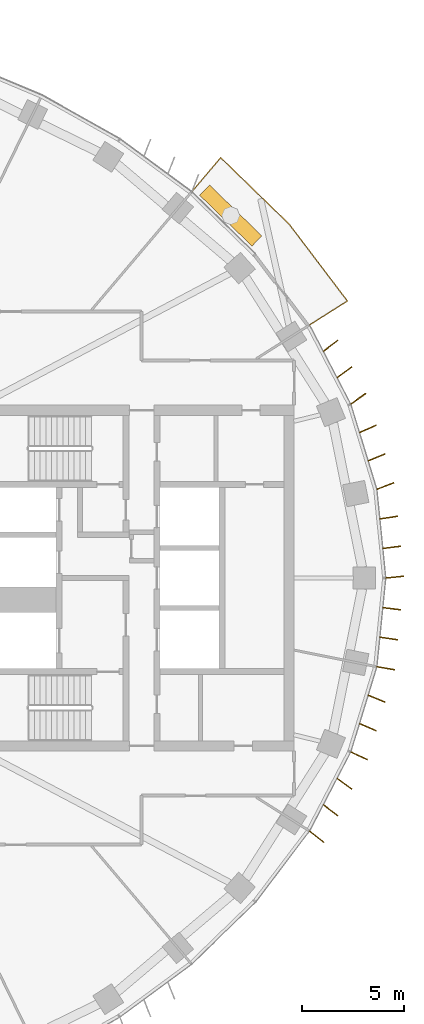
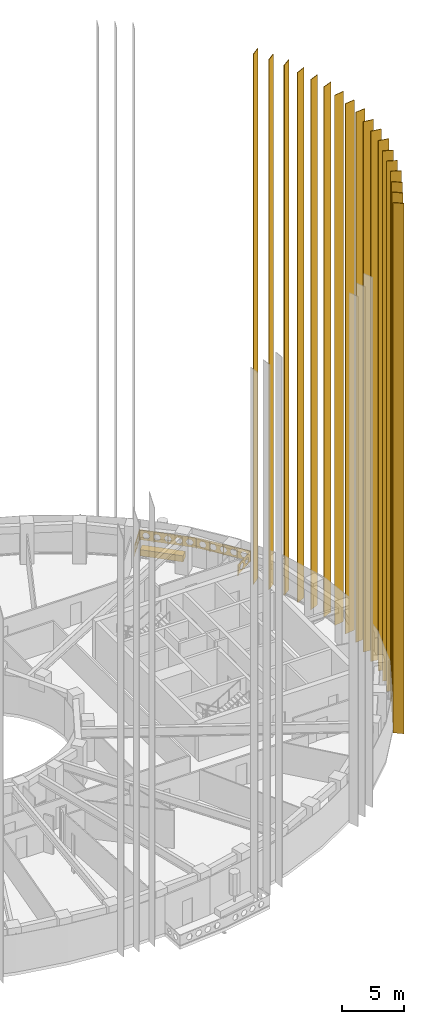
# One storey, part 18 of 19: 19 coverings, 1 railing.
"""IFC4 building model written with IfcOpenShell, lengths in metres."""

from ifc_helpers import new_model, si_unit, direction, frame, origin, origin_2d, place, context, subcontext, project, spatial, polyline, rectangle, outline, extrude, material, material_profile, profile_set, type_object, element, save


model = new_model("IFC4")

# Units and contexts
model_context = context("Model", 3, precision=1e-05, world=origin(), true_north=direction((0.0, 1.0)))
body_context = subcontext(model_context, "Body", "Model", "MODEL_VIEW")
ifc_project = project(units=[si_unit("LENGTHUNIT", "METRE"), si_unit("AREAUNIT", "SQUARE_METRE"), si_unit("VOLUMEUNIT", "CUBIC_METRE"), si_unit("PLANEANGLEUNIT", "RADIAN"), si_unit("MASSUNIT", "GRAM", prefix="KILO")], contexts=[model_context])

# Site, building, storey
site_placement = place(None, origin())
site = spatial("IfcSite", under=ifc_project, at=site_placement, CompositionType="ELEMENT")
building_placement = place(site_placement, origin())
building = spatial("IfcBuilding", under=site, at=building_placement, Name="Noorbagh Ring Tower", CompositionType="ELEMENT")
storey_placement = place(building_placement, frame((0.0, 0.0, 233.5)))
storey = spatial("IfcBuildingStorey", under=building, at=storey_placement, Name="L48", CompositionType="ELEMENT", Elevation=233.5)

# Coverings
ifc_material_1 = material(Name="Aluminium 6063-T6 black anodised", Category="aluminium")
ifc_material_profile = material_profile(ifc_material_1, rectangle(XDim=0.89990234375, YDim=0.050048828125, at=origin_2d()), Name="900x50")
ifc_profile_set = profile_set([ifc_material_profile], Name="Aluminium 6063-T6 black anodised")
covering_type_1 = type_object("IfcCoveringType", Name="ENV-FIN", PredefinedType="CLADDING", material=ifc_profile_set)
for number, where, z_axis, x_axis, name in (
    (1, (36.4482421875, 0.045166015625, -0.284912109375), (0.0, 0.0, 1.0), (0.994969504864, 0.100178263068, 0.0), "Fin F01 1 L48-L60"),
    (2, (36.30126953125, 1.5087890625, -0.284912109375), (0.0, 0.0, 1.0), (0.992302876732, 0.12383457041, 0.0), "Fin F01 2 L48-L60"),
    (3, (36.154296875, 2.97216796875, -0.284912109375), (0.0, 0.0, 1.0), (0.989102941421, 0.147225579543, 0.0), "Fin F01 3 L48-L60"),
    (4, (35.9833984375, 4.520751953125, -0.284912109375), (0.0, 0.0, 1.0), (0.933362145395, 0.358936074453, 0.0), "Fin F02 1 L48-L60"),
    (5, (35.553466796875, 5.92724609375, -0.284912109375), (0.0, 0.0, 1.0), (0.925000661941, 0.379965492392, 0.0), "Fin F02 2 L48-L60"),
    (6, (35.123291015625, 7.3330078125, -0.284912109375), (0.0, 0.0, 1.0), (0.916474909008, 0.40009216583, 0.0), "Fin F02 3 L48-L60"),
    (7, (34.651611328125, 8.810791015625, -0.284912109375), (0.0, 0.0, 1.0), (0.815855460993, 0.57825588347, 0.0), "Fin F03 1 L48-L60"),
    (8, (33.9716796875, 10.113525390625, -0.284912109375), (0.0, 0.0, 1.0), (0.804260303023, 0.59427717858, 0.0), "Fin F03 2 L48-L60"),
    (9, (33.291748046875, 11.415771484375, -0.284912109375), (0.0, 0.0, 1.0), (0.793137535147, 0.609042568579, 0.0), "Fin F03 3 L48-L60"),
    (10, (32.612060546875, -12.71728515625, -0.284912109375), (0.0, 0.0, 1.0), (0.782643528987, -0.622470165176, 0.0), "Fin F44 1 L48-L60"),
    (11, (33.291748046875, -11.415771484375, -0.284912109375), (0.0, 0.0, 1.0), (0.793137535147, -0.609042568579, 0.0), "Fin F44 2 L48-L60"),
    (12, (33.9716796875, -10.113525390625, -0.284912109375), (0.0, 0.0, 1.0), (0.804260303023, -0.59427717858, 0.0), "Fin F44 3 L48-L60"),
    (13, (34.693359375, -8.738525390625, -0.284912109375), (0.0, 0.0, 1.0), (0.907911558545, -0.419161784827, 0.0), "Fin F45 1 L48-L60"),
    (14, (35.123291015625, -7.3330078125, -0.284912109375), (0.0, 0.0, 1.0), (0.916474909008, -0.40009216583, 0.0), "Fin F45 2 L48-L60"),
    (15, (35.553466796875, -5.92724609375, -0.284912109375), (0.0, 0.0, 1.0), (0.925000661941, -0.379965492392, 0.0), "Fin F45 3 L48-L60"),
    (16, (36.0068359375, -4.435546875, -0.284912109375), (0.0, 0.0, 1.0), (0.985418628789, -0.170147365642, 0.0), "Fin F46 1 L48-L60"),
    (17, (36.154296875, -2.97216796875, -0.284912109375), (0.0, 0.0, 1.0), (0.989102941421, -0.147225579543, 0.0), "Fin F46 2 L48-L60"),
    (18, (36.30126953125, -1.5087890625, -0.284912109375), (0.0, 0.0, 1.0), (0.992302876732, -0.12383457041, 0.0), "Fin F46 3 L48-L60"),
):
    element("IfcCovering", number, at=place(storey_placement, frame(where, z_axis=z_axis, x_axis=x_axis)), inside=storey, type_object=covering_type_1, Name=name, ObjectType="FIN", PredefinedType="CLADDING", context=body_context, shape_type="SweptSolid", body=[
        extrude(rectangle(XDim=0.89990234375, YDim=0.050048828125, at=origin_2d()), origin(), (0.0, 0.0, 1.0), 51.969970703125),
    ])

# Railing
ifc_material_2 = material(Name="Steel S275 black powder-coated", Category="steel")
railing_type = type_object("IfcRailingType", Name="ENV-GUARD", PredefinedType="GUARDRAIL", material=ifc_material_2)
railing_placement = place(storey_placement, frame((32.255126953125, 12.434814453125, 0.0)))
element("IfcRailing", 19, at=railing_placement, inside=storey, type_object=railing_type, Name="Balcony guard BN01", PredefinedType="GUARDRAIL", context=body_context, shape_type="SweptSolid", body=[
    extrude(rectangle(XDim=0.048095703125, YDim=0.048095703125, at=origin_2d()), frame((0.0, 0.0, 1.076171875), z_axis=(0.844852397829, 0.534999463442, 0.0), x_axis=(-0.534999463442, 0.844852397829, 0.0)), (0.0, 0.0, 1.0), 2.207763671875),
    extrude(rectangle(XDim=0.048095703125, YDim=0.048095703125, at=origin_2d()), frame((1.865234375, 1.18115234375, 1.076171875), z_axis=(-0.604001613322, 0.796983093362, 0.0), x_axis=(-0.796983093362, -0.604001613322, 0.0)), (0.0, 0.0, 1.0), 4.7353515625),
    extrude(rectangle(XDim=0.048095703125, YDim=0.048095703125, at=origin_2d()), frame((-0.994873046875, 4.955078125, 1.076171875), z_axis=(-0.717212632946, 0.696854388766, 0.0), x_axis=(-0.696854388766, -0.717212632946, 0.0)), (0.0, 0.0, 1.0), 4.700927734375),
    extrude(rectangle(XDim=0.048095703125, YDim=0.048095703125, at=origin_2d()), frame((-4.366455078125, 8.23095703125, 1.076171875), z_axis=(-0.646413574048, -0.762987215677, 0.0), x_axis=(0.762987215677, -0.646413574048, 0.0)), (0.0, 0.0, 1.0), 2.205322265625),
    extrude(rectangle(XDim=0.0419921875, YDim=0.0419921875, at=origin_2d()), origin(), (0.0, 0.0, 1.0), 1.052001953125),
    extrude(rectangle(XDim=0.0419921875, YDim=0.0419921875, at=origin_2d()), frame((0.9326171875, 0.590576171875, 0.0)), (0.0, 0.0, 1.0), 1.052001953125),
    extrude(rectangle(XDim=0.0419921875, YDim=0.0419921875, at=origin_2d()), frame((1.865234375, 1.18115234375, 0.0)), (0.0, 0.0, 1.0), 1.052001953125),
    extrude(rectangle(XDim=0.0419921875, YDim=0.0419921875, at=origin_2d()), frame((1.150146484375, 2.12451171875, 0.0)), (0.0, 0.0, 1.0), 1.052001953125),
    extrude(rectangle(XDim=0.0419921875, YDim=0.0419921875, at=origin_2d()), frame((0.43505859375, 3.068115234375, 0.0)), (0.0, 0.0, 1.0), 1.052001953125),
    extrude(rectangle(XDim=0.0419921875, YDim=0.0419921875, at=origin_2d()), frame((-0.27978515625, 4.01171875, 0.0)), (0.0, 0.0, 1.0), 1.052001953125),
    extrude(rectangle(XDim=0.0419921875, YDim=0.0419921875, at=origin_2d()), frame((-0.994873046875, 4.955078125, 0.0)), (0.0, 0.0, 1.0), 1.052001953125),
    extrude(rectangle(XDim=0.0419921875, YDim=0.0419921875, at=origin_2d()), frame((-1.837890625, 5.77392578125, 0.0)), (0.0, 0.0, 1.0), 1.052001953125),
    extrude(rectangle(XDim=0.0419921875, YDim=0.0419921875, at=origin_2d()), frame((-2.6806640625, 6.593017578125, 0.0)), (0.0, 0.0, 1.0), 1.052001953125),
    extrude(rectangle(XDim=0.0419921875, YDim=0.0419921875, at=origin_2d()), frame((-3.5234375, 7.412109375, 0.0)), (0.0, 0.0, 1.0), 1.052001953125),
    extrude(rectangle(XDim=0.0419921875, YDim=0.0419921875, at=origin_2d()), frame((-4.366455078125, 8.23095703125, 0.0)), (0.0, 0.0, 1.0), 1.052001953125),
    extrude(rectangle(XDim=0.0419921875, YDim=0.0419921875, at=origin_2d()), frame((-5.0791015625, 7.3896484375, 0.0)), (0.0, 0.0, 1.0), 1.052001953125),
    extrude(rectangle(XDim=0.0419921875, YDim=0.0419921875, at=origin_2d()), frame((-5.7919921875, 6.54833984375, 0.0)), (0.0, 0.0, 1.0), 1.052001953125),
    extrude(outline(polyline([(0.0, 0.10009765625), (2.207763671875, 0.10009765625), (2.207763671875, 1.031982421875), (0.0, 1.031982421875), (0.0, 0.10009765625)]), holes=[polyline([(0.9638671875, 0.56591796875), (0.808837890625, 0.83447265625), (0.498779296875, 0.83447265625), (0.343994140625, 0.56591796875), (0.498779296875, 0.297607421875), (0.808837890625, 0.297607421875), (0.9638671875, 0.56591796875)]), polyline([(1.86376953125, 0.56591796875), (1.708984375, 0.83447265625), (1.39892578125, 0.83447265625), (1.243896484375, 0.56591796875), (1.39892578125, 0.297607421875), (1.708984375, 0.297607421875), (1.86376953125, 0.56591796875)])]), frame((-0.00537109375, 0.008544921875, 0.0), z_axis=(0.534999463442, -0.844852397829, 0.0), x_axis=(0.844852397829, 0.534999463442, 0.0)), (0.0, 0.0, 1.0), 0.02001953125),
    extrude(outline(polyline([(0.0, 0.10009765625), (4.7353515625, 0.10009765625), (4.7353515625, 1.031982421875), (0.0, 1.031982421875), (0.0, 0.10009765625)]), holes=[polyline([(0.877685546875, 0.56591796875), (0.72265625, 0.83447265625), (0.41259765625, 0.83447265625), (0.257568359375, 0.56591796875), (0.41259765625, 0.297607421875), (0.72265625, 0.297607421875), (0.877685546875, 0.56591796875)]), polyline([(1.777587890625, 0.56591796875), (1.62255859375, 0.83447265625), (1.312744140625, 0.83447265625), (1.15771484375, 0.56591796875), (1.312744140625, 0.297607421875), (1.62255859375, 0.297607421875), (1.777587890625, 0.56591796875)]), polyline([(2.677734375, 0.56591796875), (2.522705078125, 0.83447265625), (2.212646484375, 0.83447265625), (2.0576171875, 0.56591796875), (2.212646484375, 0.297607421875), (2.522705078125, 0.297607421875), (2.677734375, 0.56591796875)]), polyline([(3.57763671875, 0.56591796875), (3.422607421875, 0.83447265625), (3.112548828125, 0.83447265625), (2.95751953125, 0.56591796875), (3.112548828125, 0.297607421875), (3.422607421875, 0.297607421875), (3.57763671875, 0.56591796875)]), polyline([(4.4775390625, 0.56591796875), (4.32275390625, 0.83447265625), (4.0126953125, 0.83447265625), (3.857666015625, 0.56591796875), (4.0126953125, 0.297607421875), (4.32275390625, 0.297607421875), (4.4775390625, 0.56591796875)])]), frame((1.857177734375, 1.175048828125, 0.0), z_axis=(0.796983093362, 0.604001613322, 0.0), x_axis=(-0.604001613322, 0.796983093362, 0.0)), (0.0, 0.0, 1.0), 0.02001953125),
    extrude(outline(polyline([(0.0, 0.10009765625), (4.700927734375, 0.10009765625), (4.700927734375, 1.031982421875), (0.0, 1.031982421875), (0.0, 0.10009765625)]), holes=[polyline([(0.860595703125, 0.56591796875), (0.70556640625, 0.83447265625), (0.3955078125, 0.83447265625), (0.240478515625, 0.56591796875), (0.3955078125, 0.297607421875), (0.70556640625, 0.297607421875), (0.860595703125, 0.56591796875)]), polyline([(1.760498046875, 0.56591796875), (1.60546875, 0.83447265625), (1.29541015625, 0.83447265625), (1.140380859375, 0.56591796875), (1.29541015625, 0.297607421875), (1.60546875, 0.297607421875), (1.760498046875, 0.56591796875)]), polyline([(2.660400390625, 0.56591796875), (2.50537109375, 0.83447265625), (2.195556640625, 0.83447265625), (2.04052734375, 0.56591796875), (2.195556640625, 0.297607421875), (2.50537109375, 0.297607421875), (2.660400390625, 0.56591796875)]), polyline([(3.560546875, 0.56591796875), (3.405517578125, 0.83447265625), (3.095458984375, 0.83447265625), (2.9404296875, 0.56591796875), (3.095458984375, 0.297607421875), (3.405517578125, 0.297607421875), (3.560546875, 0.56591796875)]), polyline([(4.46044921875, 0.56591796875), (4.305419921875, 0.83447265625), (3.995361328125, 0.83447265625), (3.840576171875, 0.56591796875), (3.995361328125, 0.297607421875), (4.305419921875, 0.297607421875), (4.46044921875, 0.56591796875)])]), frame((-1.001953125, 4.947998046875, 0.0), z_axis=(0.696854388766, 0.717212632946, 0.0), x_axis=(-0.717212632946, 0.696854388766, 0.0)), (0.0, 0.0, 1.0), 0.02001953125),
    extrude(outline(polyline([(0.0, 0.10009765625), (2.205322265625, 0.10009765625), (2.205322265625, 1.031982421875), (0.0, 1.031982421875), (0.0, 0.10009765625)]), holes=[polyline([(0.962646484375, 0.56591796875), (0.8076171875, 0.83447265625), (0.49755859375, 0.83447265625), (0.342529296875, 0.56591796875), (0.49755859375, 0.297607421875), (0.8076171875, 0.297607421875), (0.962646484375, 0.56591796875)]), polyline([(1.862548828125, 0.56591796875), (1.707763671875, 0.83447265625), (1.397705078125, 0.83447265625), (1.24267578125, 0.56591796875), (1.397705078125, 0.297607421875), (1.707763671875, 0.297607421875), (1.862548828125, 0.56591796875)])]), frame((-4.35888671875, 8.224609375, 0.0), z_axis=(-0.762987215677, 0.646413574048, 0.0), x_axis=(-0.646413574048, -0.762987215677, 0.0)), (0.0, 0.0, 1.0), 0.02001953125),
])

# Covering
ifc_material_3 = material(Name="Concrete C30/37 planter with soil", Category="concrete")
covering_type_2 = type_object("IfcCoveringType", Name="ENV-PLANTER", PredefinedType="CLADDING", material=ifc_material_3)
covering_placement = place(storey_placement, frame((28.3837890625, 17.814208984375, 0.0), z_axis=(0.0, 0.0, 1.0), x_axis=(-0.717224548362, 0.696842125038, 0.0)))
element("IfcCovering", 20, at=covering_placement, inside=storey, type_object=covering_type_2, Name="PLANTER BN01", ObjectType="PLANTER", PredefinedType="CLADDING", context=body_context, shape_type="SweptSolid", body=[
    extrude(rectangle(XDim=3.584228515625, YDim=0.699951171875, at=origin_2d()), origin(), (0.0, 0.0, 1.0), 0.60009765625),
])

save(model, "model.ifc")
